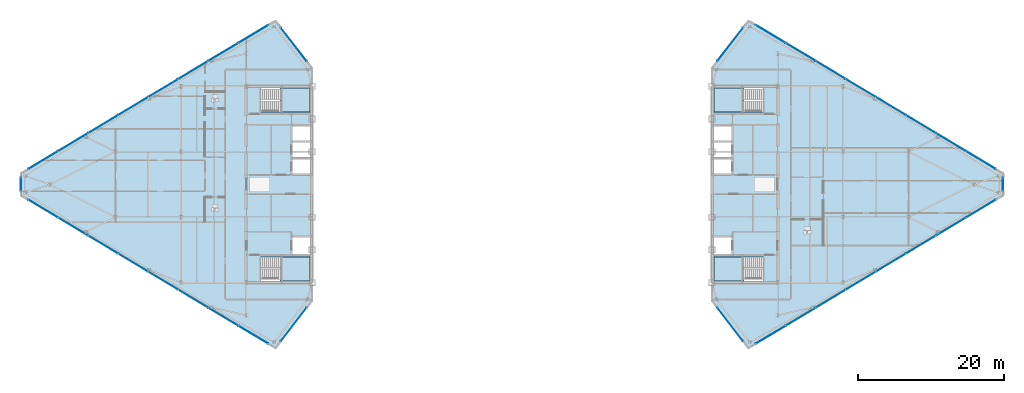
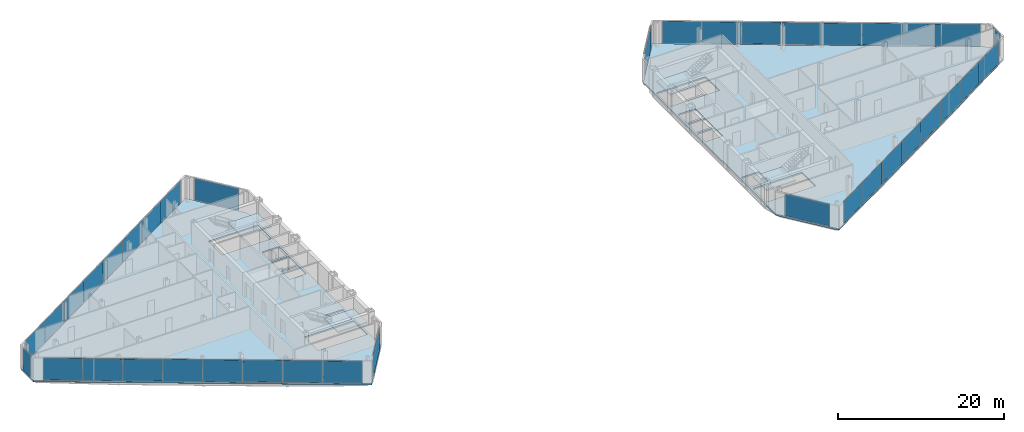
# One storey, part 18 of 25: 38 plates, 6 slabs, 14 elements without a shape of their own.
"""IFC4 building model written with IfcOpenShell, lengths in metres."""

from ifc_helpers import new_model, si_unit, direction, frame, origin, origin_2d, place, context, subcontext, project, spatial, polyline, rectangle, outline, extrude, source, transform, mapped, material, layer, layer_set, type_object, type_shapes, element, aggregate, save


model = new_model("IFC4")

# Units and contexts
model_context = context("Model", 3, precision=1e-05, world=origin(), true_north=direction((0.0, 1.0)))
body_context = subcontext(model_context, "Body", "Model", "MODEL_VIEW")
ifc_project = project(units=[si_unit("LENGTHUNIT", "METRE"), si_unit("AREAUNIT", "SQUARE_METRE"), si_unit("VOLUMEUNIT", "CUBIC_METRE"), si_unit("PLANEANGLEUNIT", "RADIAN"), si_unit("MASSUNIT", "GRAM", prefix="KILO")], contexts=[model_context])

# Site, building, storey
site_placement = place(None, origin())
site = spatial("IfcSite", under=ifc_project, at=site_placement, CompositionType="ELEMENT")
building_placement = place(site_placement, origin())
building = spatial("IfcBuilding", under=site, at=building_placement, Name="Seokmaru Belvedere", CompositionType="ELEMENT")
storey_placement = place(building_placement, frame((0.0, 0.0, 213.89990234375)))
storey = spatial("IfcBuildingStorey", under=building, at=storey_placement, Name="L57", CompositionType="ELEMENT", Elevation=213.89990234375)

# Stair, slab
ifc_material_1 = material(Name="Concrete C40 (40 MPa)", Category="concrete")
stair_type = type_object("IfcStairType", Name="Typical Tower Core Dog-Leg Stair 3600", PredefinedType="TWO_STRAIGHT_RUN_STAIR", material=ifc_material_1)
stair_1_placement = place(storey_placement, origin())
stair_1 = element("IfcStair", 1, at=stair_1_placement, inside=storey, type_object=stair_type, Name="L57 Special Escape Stair ST-W1", PredefinedType="TWO_STRAIGHT_RUN_STAIR")
ifc_layer_1 = layer(ifc_material_1, 0.199951171875)
ifc_layer_set_1 = layer_set([ifc_layer_1], Name="Concrete C40 (40 MPa)")
slab_type_1 = type_object("IfcSlabType", Name="Reinforced Concrete Stair Landing Slab 200", PredefinedType="LANDING", material=ifc_layer_set_1)
slab_1_placement = place(storey_placement, frame((0.0, 0.0, 1.60009765625)))
slab_1 = element("IfcSlab", 2, at=slab_1_placement, type_object=slab_type_1, Name="ST-W1 landing 1", PredefinedType="LANDING", context=body_context, shape_type="SweptSolid", body=[
    extrude(outline(polyline([(-31.8798828125, -13.239990234375), (-27.760009765625, -13.239990234375), (-27.760009765625, -9.949951171875), (-31.8798828125, -9.949951171875), (-31.8798828125, -13.239990234375)])), origin(), (0.0, 0.0, 1.0), 0.199951171875),
])
aggregate(stair_1, [slab_1])

stair_2_placement = place(storey_placement, origin())
stair_2 = element("IfcStair", 3, at=stair_2_placement, inside=storey, type_object=stair_type, Name="L57 Special Escape Stair ST-W2", PredefinedType="TWO_STRAIGHT_RUN_STAIR")
slab_2_placement = place(storey_placement, frame((0.0, 0.0, 1.60009765625)))
slab_2 = element("IfcSlab", 4, at=slab_2_placement, type_object=slab_type_1, Name="ST-W2 landing 1", PredefinedType="LANDING", context=body_context, shape_type="SweptSolid", body=[
    extrude(outline(polyline([(-31.8798828125, 9.949951171875), (-27.760009765625, 9.949951171875), (-27.760009765625, 13.239990234375), (-31.8798828125, 13.239990234375), (-31.8798828125, 9.949951171875)])), origin(), (0.0, 0.0, 1.0), 0.199951171875),
])
aggregate(stair_2, [slab_2])

stair_3_placement = place(storey_placement, origin())
stair_3 = element("IfcStair", 5, at=stair_3_placement, inside=storey, type_object=stair_type, Name="L57 Special Escape Stair ST-E1", PredefinedType="TWO_STRAIGHT_RUN_STAIR")
slab_3_placement = place(storey_placement, frame((0.0, 0.0, 1.60009765625)))
slab_3 = element("IfcSlab", 6, at=slab_3_placement, type_object=slab_type_1, Name="ST-E1 landing 1", PredefinedType="LANDING", context=body_context, shape_type="SweptSolid", body=[
    extrude(outline(polyline([(27.760009765625, -13.239990234375), (31.8798828125, -13.239990234375), (31.8798828125, -9.949951171875), (27.760009765625, -9.949951171875), (27.760009765625, -13.239990234375)])), origin(), (0.0, 0.0, 1.0), 0.199951171875),
])
aggregate(stair_3, [slab_3])

stair_4_placement = place(storey_placement, origin())
stair_4 = element("IfcStair", 7, at=stair_4_placement, inside=storey, type_object=stair_type, Name="L57 Special Escape Stair ST-E2", PredefinedType="TWO_STRAIGHT_RUN_STAIR")
slab_4_placement = place(storey_placement, frame((0.0, 0.0, 1.60009765625)))
slab_4 = element("IfcSlab", 8, at=slab_4_placement, type_object=slab_type_1, Name="ST-E2 landing 1", PredefinedType="LANDING", context=body_context, shape_type="SweptSolid", body=[
    extrude(outline(polyline([(27.760009765625, 9.949951171875), (31.8798828125, 9.949951171875), (31.8798828125, 13.239990234375), (27.760009765625, 13.239990234375), (27.760009765625, 9.949951171875)])), origin(), (0.0, 0.0, 1.0), 0.199951171875),
])
aggregate(stair_4, [slab_4])

# Slabs
ifc_layer_2 = layer(ifc_material_1, 0.219970703125)
ifc_layer_set_2 = layer_set([ifc_layer_2], Name="Concrete C40 (40 MPa)")
slab_type_2 = type_object("IfcSlabType", Name="Typical Tower Composite Floor Slab 220", PredefinedType="FLOOR", material=ifc_layer_set_2)
slab_5_placement = place(storey_placement, frame((0.0, 0.0, -0.219970703125)))
element("IfcSlab", 9, at=slab_5_placement, inside=storey, type_object=slab_type_2, Name="L57 West Leg Floor Slab", PredefinedType="FLOOR", context=body_context, shape_type="SweptSolid", body=[
    extrude(outline(polyline([(-27.5, -16.0), (-27.5, 16.0), (-32.5, 22.5), (-67.5, 1.5), (-67.5, -1.5), (-32.5, -22.5), (-27.5, -16.0)]), holes=[polyline([(-34.60009765625, -13.25), (-27.75, -13.25), (-27.75, -9.949951171875), (-34.60009765625, -9.949951171875), (-34.60009765625, -13.25)]), polyline([(-34.60009765625, 9.949951171875), (-27.75, 9.949951171875), (-27.75, 13.25), (-34.60009765625, 13.25), (-34.60009765625, 9.949951171875)]), polyline([(-30.14990234375, -9.550048828125), (-27.75, -9.550048828125), (-27.75, -7.25), (-30.14990234375, -7.25), (-30.14990234375, -9.550048828125)]), polyline([(-30.14990234375, 1.449951171875), (-27.75, 1.449951171875), (-27.75, 3.449951171875), (-30.14990234375, 3.449951171875), (-30.14990234375, 1.449951171875)]), polyline([(-30.14990234375, 3.75), (-27.75, 3.75), (-27.75, 5.75), (-30.14990234375, 5.75), (-30.14990234375, 3.75)]), polyline([(-30.14990234375, 6.050048828125), (-27.75, 6.050048828125), (-27.75, 8.050048828125), (-30.14990234375, 8.050048828125), (-30.14990234375, 6.050048828125)])]), origin(), (0.0, 0.0, 1.0), 0.219970703125),
])
slab_6_placement = place(storey_placement, frame((0.0, 0.0, -0.219970703125)))
element("IfcSlab", 10, at=slab_6_placement, inside=storey, type_object=slab_type_2, Name="L57 East Leg Floor Slab", PredefinedType="FLOOR", context=body_context, shape_type="SweptSolid", body=[
    extrude(outline(polyline([(32.5, -22.5), (67.5, -1.5), (67.5, 1.5), (32.5, 22.5), (27.5, 16.0), (27.5, -16.0), (32.5, -22.5)]), holes=[polyline([(27.75, -13.25), (34.60009765625, -13.25), (34.60009765625, -9.949951171875), (27.75, -9.949951171875), (27.75, -13.25)]), polyline([(27.75, 9.949951171875), (34.60009765625, 9.949951171875), (34.60009765625, 13.25), (27.75, 13.25), (27.75, 9.949951171875)]), polyline([(27.75, -9.550048828125), (30.14990234375, -9.550048828125), (30.14990234375, -7.25), (27.75, -7.25), (27.75, -9.550048828125)]), polyline([(27.75, 1.449951171875), (30.14990234375, 1.449951171875), (30.14990234375, 3.449951171875), (27.75, 3.449951171875), (27.75, 1.449951171875)]), polyline([(27.75, 3.75), (30.14990234375, 3.75), (30.14990234375, 5.75), (27.75, 5.75), (27.75, 3.75)]), polyline([(27.75, 6.050048828125), (30.14990234375, 6.050048828125), (30.14990234375, 8.050048828125), (27.75, 8.050048828125), (27.75, 6.050048828125)])]), origin(), (0.0, 0.0, 1.0), 0.219970703125),
])

# Curtain wall, plate
ifc_material_2 = material(Name="Bronze Triple Insulating Glass", Category="glass")
ifc_layer_3 = layer(ifc_material_2, 0.179931640625)
ifc_layer_set_3 = layer_set([ifc_layer_3], Name="Bronze Triple Insulating Glass")
curtain_wall_type = type_object("IfcCurtainWallType", Name="High-Rise Wind-Corner Curtain Wall System CW-5", PredefinedType="NOTDEFINED", material=ifc_layer_set_3)
curtain_wall_1_placement = place(storey_placement, origin())
curtain_wall_1 = element("IfcCurtainWall", 11, at=curtain_wall_1_placement, inside=storey, type_object=curtain_wall_type, Name="L57 Curtain Wall WF2", PredefinedType="NOTDEFINED")
ifc_layer_4 = layer(ifc_material_2, 0.035888671875)
ifc_layer_set_4 = layer_set([ifc_layer_4], Name="Bronze Triple Insulating Glass")
plate_type = type_object("IfcPlateType", Name="Bronze Triple Vision Glazing Panel 36", PredefinedType="CURTAIN_PANEL", material=ifc_layer_set_4)
shared_shape_1 = source(origin(), body_context, "Body", "SweptSolid", [
    extrude(rectangle(XDim=5.7705078125, YDim=0.035888671875, at=origin_2d()), origin(), (0.0, 0.0, 1.0), 3.25),
])
plate_1_placement = place(storey_placement, frame((-30.0, 19.25, 0.065185546875), z_axis=(0.0, 0.0, 1.0), x_axis=(-0.609701187349, 0.792631353244, 0.0)))
plate_1 = element("IfcPlate", 12, at=plate_1_placement, type_object=plate_type, Name="CW:L57:WF2 Glazing Panel 1-1", PredefinedType="CURTAIN_PANEL", context=body_context, shape_type="MappedRepresentation", body=[
    mapped(shared_shape_1, transform((0.0, 0.0, 0.0), scale=1.0)),
])
aggregate(curtain_wall_1, [plate_1])

curtain_wall_2_placement = place(storey_placement, origin())
curtain_wall_2 = element("IfcCurtainWall", 13, at=curtain_wall_2_placement, inside=storey, type_object=curtain_wall_type, Name="L57 Curtain Wall WF6", PredefinedType="NOTDEFINED")
plate_2_placement = place(storey_placement, frame((-30.0, -19.25, 0.065185546875), z_axis=(0.0, 0.0, 1.0), x_axis=(0.609701187349, 0.792631353244, 0.0)))
plate_2 = element("IfcPlate", 14, at=plate_2_placement, type_object=plate_type, Name="CW:L57:WF6 Glazing Panel 1-1", PredefinedType="CURTAIN_PANEL", context=body_context, shape_type="MappedRepresentation", body=[
    mapped(shared_shape_1, transform((0.0, 0.0, 0.0), scale=1.0)),
])
aggregate(curtain_wall_2, [plate_2])

curtain_wall_3_placement = place(storey_placement, origin())
curtain_wall_3 = element("IfcCurtainWall", 15, at=curtain_wall_3_placement, inside=storey, type_object=curtain_wall_type, Name="L57 Curtain Wall EF4", PredefinedType="NOTDEFINED")
plate_3_placement = place(storey_placement, frame((30.0, 19.25, 0.065185546875), z_axis=(0.0, 0.0, 1.0), x_axis=(-0.609701187349, -0.792631353244, 0.0)))
plate_3 = element("IfcPlate", 16, at=plate_3_placement, type_object=plate_type, Name="CW:L57:EF4 Glazing Panel 1-1", PredefinedType="CURTAIN_PANEL", context=body_context, shape_type="MappedRepresentation", body=[
    mapped(shared_shape_1, transform((0.0, 0.0, 0.0), scale=1.0)),
])
aggregate(curtain_wall_3, [plate_3])

curtain_wall_4_placement = place(storey_placement, origin())
curtain_wall_4 = element("IfcCurtainWall", 17, at=curtain_wall_4_placement, inside=storey, type_object=curtain_wall_type, Name="L57 Curtain Wall EF6", PredefinedType="NOTDEFINED")
plate_4_placement = place(storey_placement, frame((30.0, -19.25, 0.065185546875), z_axis=(0.0, 0.0, 1.0), x_axis=(0.609701187349, -0.792631353244, 0.0)))
plate_4 = element("IfcPlate", 18, at=plate_4_placement, type_object=plate_type, Name="CW:L57:EF6 Glazing Panel 1-1", PredefinedType="CURTAIN_PANEL", context=body_context, shape_type="MappedRepresentation", body=[
    mapped(shared_shape_1, transform((0.0, 0.0, 0.0), scale=1.0)),
])
aggregate(curtain_wall_4, [plate_4])

# Curtain wall, plates
curtain_wall_5_placement = place(storey_placement, origin())
curtain_wall_5 = element("IfcCurtainWall", 19, at=curtain_wall_5_placement, inside=storey, type_object=curtain_wall_type, Name="L57 Curtain Wall WF3", PredefinedType="NOTDEFINED")
shared_shape_2 = source(origin(), body_context, "Body", "SweptSolid", [
    extrude(rectangle(XDim=4.717041015625, YDim=0.035888671875, at=origin_2d()), origin(), (0.0, 0.0, 1.0), 3.25),
])
plate_5_placement = place(storey_placement, frame((-35.564208984375, 20.661376953125, 0.065185546875), z_axis=(0.0, 0.0, 1.0), x_axis=(-0.85749343335, -0.514494909364, 0.0)))
plate_5 = element("IfcPlate", 20, at=plate_5_placement, type_object=plate_type, Name="CW:L57:WF3 Glazing Panel 1-1", PredefinedType="CURTAIN_PANEL", context=body_context, shape_type="MappedRepresentation", body=[
    mapped(shared_shape_2, transform((0.0, 0.0, 0.0), scale=1.0)),
])
plate_6_placement = place(storey_placement, frame((-64.435791015625, 3.338623046875, 0.065185546875), z_axis=(0.0, 0.0, 1.0), x_axis=(-0.85749343335, -0.514494909364, 0.0)))
plate_6 = element("IfcPlate", 21, at=plate_6_placement, type_object=plate_type, Name="CW:L57:WF3 Glazing Panel 8-1", PredefinedType="CURTAIN_PANEL", context=body_context, shape_type="MappedRepresentation", body=[
    mapped(shared_shape_2, transform((0.0, 0.0, 0.0), scale=1.0)),
])

curtain_wall_6_placement = place(storey_placement, origin())
curtain_wall_6 = element("IfcCurtainWall", 22, at=curtain_wall_6_placement, inside=storey, type_object=curtain_wall_type, Name="L57 Curtain Wall WF5", PredefinedType="NOTDEFINED")
plate_7_placement = place(storey_placement, frame((-64.435791015625, -3.338623046875, 0.065185546875), z_axis=(0.0, 0.0, 1.0), x_axis=(0.85749343335, -0.514494909364, 0.0)))
plate_7 = element("IfcPlate", 23, at=plate_7_placement, type_object=plate_type, Name="CW:L57:WF5 Glazing Panel 1-1", PredefinedType="CURTAIN_PANEL", context=body_context, shape_type="MappedRepresentation", body=[
    mapped(shared_shape_2, transform((0.0, 0.0, 0.0), scale=1.0)),
])
plate_8_placement = place(storey_placement, frame((-35.564208984375, -20.661376953125, 0.065185546875), z_axis=(0.0, 0.0, 1.0), x_axis=(0.85749343335, -0.514494909364, 0.0)))
plate_8 = element("IfcPlate", 24, at=plate_8_placement, type_object=plate_type, Name="CW:L57:WF5 Glazing Panel 8-1", PredefinedType="CURTAIN_PANEL", context=body_context, shape_type="MappedRepresentation", body=[
    mapped(shared_shape_2, transform((0.0, 0.0, 0.0), scale=1.0)),
])

curtain_wall_7_placement = place(storey_placement, origin())
curtain_wall_7 = element("IfcCurtainWall", 25, at=curtain_wall_7_placement, inside=storey, type_object=curtain_wall_type, Name="L57 Curtain Wall EF1", PredefinedType="NOTDEFINED")
plate_9_placement = place(storey_placement, frame((35.564208984375, -20.661376953125, 0.065185546875), z_axis=(0.0, 0.0, 1.0), x_axis=(0.85749343335, 0.514494909364, 0.0)))
plate_9 = element("IfcPlate", 26, at=plate_9_placement, type_object=plate_type, Name="CW:L57:EF1 Glazing Panel 1-1", PredefinedType="CURTAIN_PANEL", context=body_context, shape_type="MappedRepresentation", body=[
    mapped(shared_shape_2, transform((0.0, 0.0, 0.0), scale=1.0)),
])
plate_10_placement = place(storey_placement, frame((64.435791015625, -3.338623046875, 0.065185546875), z_axis=(0.0, 0.0, 1.0), x_axis=(0.85749343335, 0.514494909364, 0.0)))
plate_10 = element("IfcPlate", 27, at=plate_10_placement, type_object=plate_type, Name="CW:L57:EF1 Glazing Panel 8-1", PredefinedType="CURTAIN_PANEL", context=body_context, shape_type="MappedRepresentation", body=[
    mapped(shared_shape_2, transform((0.0, 0.0, 0.0), scale=1.0)),
])

curtain_wall_8_placement = place(storey_placement, origin())
curtain_wall_8 = element("IfcCurtainWall", 28, at=curtain_wall_8_placement, inside=storey, type_object=curtain_wall_type, Name="L57 Curtain Wall EF3", PredefinedType="NOTDEFINED")
plate_11_placement = place(storey_placement, frame((64.435791015625, 3.338623046875, 0.065185546875), z_axis=(0.0, 0.0, 1.0), x_axis=(-0.85749343335, 0.514494909364, 0.0)))
plate_11 = element("IfcPlate", 29, at=plate_11_placement, type_object=plate_type, Name="CW:L57:EF3 Glazing Panel 1-1", PredefinedType="CURTAIN_PANEL", context=body_context, shape_type="MappedRepresentation", body=[
    mapped(shared_shape_2, transform((0.0, 0.0, 0.0), scale=1.0)),
])
plate_12_placement = place(storey_placement, frame((35.564208984375, 20.661376953125, 0.065185546875), z_axis=(0.0, 0.0, 1.0), x_axis=(-0.85749343335, 0.514494909364, 0.0)))
plate_12 = element("IfcPlate", 30, at=plate_12_placement, type_object=plate_type, Name="CW:L57:EF3 Glazing Panel 8-1", PredefinedType="CURTAIN_PANEL", context=body_context, shape_type="MappedRepresentation", body=[
    mapped(shared_shape_2, transform((0.0, 0.0, 0.0), scale=1.0)),
])

# Plate
shared_shape_3 = source(origin(), body_context, "Body", "SweptSolid", [
    extrude(rectangle(XDim=4.74951171875, YDim=0.035888671875, at=origin_2d()), origin(), (0.0, 0.0, 1.0), 3.25),
])
plate_13_placement = place(storey_placement, frame((-39.6787109375, 18.192626953125, 0.065185546875), z_axis=(0.0, 0.0, 1.0), x_axis=(-0.85749343335, -0.514494909364, 0.0)))
plate_13 = element("IfcPlate", 31, at=plate_13_placement, type_object=plate_type, Name="CW:L57:WF3 Glazing Panel 2-1", PredefinedType="CURTAIN_PANEL", context=body_context, shape_type="MappedRepresentation", body=[
    mapped(shared_shape_3, transform((0.0, 0.0, 0.0), scale=1.0)),
])

plate_14_placement = place(storey_placement, frame((-43.807373046875, 15.715576171875, 0.065185546875), z_axis=(0.0, 0.0, 1.0), x_axis=(-0.85749343335, -0.514494909364, 0.0)))
plate_14 = element("IfcPlate", 32, at=plate_14_placement, type_object=plate_type, Name="CW:L57:WF3 Glazing Panel 3-1", PredefinedType="CURTAIN_PANEL", context=body_context, shape_type="MappedRepresentation", body=[
    mapped(shared_shape_3, transform((0.0, 0.0, 0.0), scale=1.0)),
])

plate_15_placement = place(storey_placement, frame((-47.935791015625, 13.238525390625, 0.065185546875), z_axis=(0.0, 0.0, 1.0), x_axis=(-0.85749343335, -0.514494909364, 0.0)))
plate_15 = element("IfcPlate", 33, at=plate_15_placement, type_object=plate_type, Name="CW:L57:WF3 Glazing Panel 4-1", PredefinedType="CURTAIN_PANEL", context=body_context, shape_type="MappedRepresentation", body=[
    mapped(shared_shape_3, transform((0.0, 0.0, 0.0), scale=1.0)),
])

plate_16_placement = place(storey_placement, frame((-52.064208984375, 10.761474609375, 0.065185546875), z_axis=(0.0, 0.0, 1.0), x_axis=(-0.85749343335, -0.514494909364, 0.0)))
plate_16 = element("IfcPlate", 34, at=plate_16_placement, type_object=plate_type, Name="CW:L57:WF3 Glazing Panel 5-1", PredefinedType="CURTAIN_PANEL", context=body_context, shape_type="MappedRepresentation", body=[
    mapped(shared_shape_3, transform((0.0, 0.0, 0.0), scale=1.0)),
])

plate_17_placement = place(storey_placement, frame((-56.192626953125, 8.284423828125, 0.065185546875), z_axis=(0.0, 0.0, 1.0), x_axis=(-0.85749343335, -0.514494909364, 0.0)))
plate_17 = element("IfcPlate", 35, at=plate_17_placement, type_object=plate_type, Name="CW:L57:WF3 Glazing Panel 6-1", PredefinedType="CURTAIN_PANEL", context=body_context, shape_type="MappedRepresentation", body=[
    mapped(shared_shape_3, transform((0.0, 0.0, 0.0), scale=1.0)),
])

plate_18_placement = place(storey_placement, frame((-60.3212890625, 5.807373046875, 0.065185546875), z_axis=(0.0, 0.0, 1.0), x_axis=(-0.85749343335, -0.514494909364, 0.0)))
plate_18 = element("IfcPlate", 36, at=plate_18_placement, type_object=plate_type, Name="CW:L57:WF3 Glazing Panel 7-1", PredefinedType="CURTAIN_PANEL", context=body_context, shape_type="MappedRepresentation", body=[
    mapped(shared_shape_3, transform((0.0, 0.0, 0.0), scale=1.0)),
])

aggregate(curtain_wall_5, [plate_5, plate_13, plate_14, plate_15, plate_16, plate_17, plate_18, plate_6])

plate_19_placement = place(storey_placement, frame((-60.3212890625, -5.807373046875, 0.065185546875), z_axis=(0.0, 0.0, 1.0), x_axis=(0.85749343335, -0.514494909364, 0.0)))
plate_19 = element("IfcPlate", 37, at=plate_19_placement, type_object=plate_type, Name="CW:L57:WF5 Glazing Panel 2-1", PredefinedType="CURTAIN_PANEL", context=body_context, shape_type="MappedRepresentation", body=[
    mapped(shared_shape_3, transform((0.0, 0.0, 0.0), scale=1.0)),
])

plate_20_placement = place(storey_placement, frame((-56.192626953125, -8.284423828125, 0.065185546875), z_axis=(0.0, 0.0, 1.0), x_axis=(0.85749343335, -0.514494909364, 0.0)))
plate_20 = element("IfcPlate", 38, at=plate_20_placement, type_object=plate_type, Name="CW:L57:WF5 Glazing Panel 3-1", PredefinedType="CURTAIN_PANEL", context=body_context, shape_type="MappedRepresentation", body=[
    mapped(shared_shape_3, transform((0.0, 0.0, 0.0), scale=1.0)),
])

plate_21_placement = place(storey_placement, frame((-52.064208984375, -10.761474609375, 0.065185546875), z_axis=(0.0, 0.0, 1.0), x_axis=(0.85749343335, -0.514494909364, 0.0)))
plate_21 = element("IfcPlate", 39, at=plate_21_placement, type_object=plate_type, Name="CW:L57:WF5 Glazing Panel 4-1", PredefinedType="CURTAIN_PANEL", context=body_context, shape_type="MappedRepresentation", body=[
    mapped(shared_shape_3, transform((0.0, 0.0, 0.0), scale=1.0)),
])

plate_22_placement = place(storey_placement, frame((-47.935791015625, -13.238525390625, 0.065185546875), z_axis=(0.0, 0.0, 1.0), x_axis=(0.85749343335, -0.514494909364, 0.0)))
plate_22 = element("IfcPlate", 40, at=plate_22_placement, type_object=plate_type, Name="CW:L57:WF5 Glazing Panel 5-1", PredefinedType="CURTAIN_PANEL", context=body_context, shape_type="MappedRepresentation", body=[
    mapped(shared_shape_3, transform((0.0, 0.0, 0.0), scale=1.0)),
])

plate_23_placement = place(storey_placement, frame((-43.807373046875, -15.715576171875, 0.065185546875), z_axis=(0.0, 0.0, 1.0), x_axis=(0.85749343335, -0.514494909364, 0.0)))
plate_23 = element("IfcPlate", 41, at=plate_23_placement, type_object=plate_type, Name="CW:L57:WF5 Glazing Panel 6-1", PredefinedType="CURTAIN_PANEL", context=body_context, shape_type="MappedRepresentation", body=[
    mapped(shared_shape_3, transform((0.0, 0.0, 0.0), scale=1.0)),
])

plate_24_placement = place(storey_placement, frame((-39.6787109375, -18.192626953125, 0.065185546875), z_axis=(0.0, 0.0, 1.0), x_axis=(0.85749343335, -0.514494909364, 0.0)))
plate_24 = element("IfcPlate", 42, at=plate_24_placement, type_object=plate_type, Name="CW:L57:WF5 Glazing Panel 7-1", PredefinedType="CURTAIN_PANEL", context=body_context, shape_type="MappedRepresentation", body=[
    mapped(shared_shape_3, transform((0.0, 0.0, 0.0), scale=1.0)),
])

aggregate(curtain_wall_6, [plate_7, plate_19, plate_20, plate_21, plate_22, plate_23, plate_24, plate_8])

plate_25_placement = place(storey_placement, frame((39.6787109375, -18.192626953125, 0.065185546875), z_axis=(0.0, 0.0, 1.0), x_axis=(0.85749343335, 0.514494909364, 0.0)))
plate_25 = element("IfcPlate", 43, at=plate_25_placement, type_object=plate_type, Name="CW:L57:EF1 Glazing Panel 2-1", PredefinedType="CURTAIN_PANEL", context=body_context, shape_type="MappedRepresentation", body=[
    mapped(shared_shape_3, transform((0.0, 0.0, 0.0), scale=1.0)),
])

plate_26_placement = place(storey_placement, frame((43.807373046875, -15.715576171875, 0.065185546875), z_axis=(0.0, 0.0, 1.0), x_axis=(0.85749343335, 0.514494909364, 0.0)))
plate_26 = element("IfcPlate", 44, at=plate_26_placement, type_object=plate_type, Name="CW:L57:EF1 Glazing Panel 3-1", PredefinedType="CURTAIN_PANEL", context=body_context, shape_type="MappedRepresentation", body=[
    mapped(shared_shape_3, transform((0.0, 0.0, 0.0), scale=1.0)),
])

plate_27_placement = place(storey_placement, frame((47.935791015625, -13.238525390625, 0.065185546875), z_axis=(0.0, 0.0, 1.0), x_axis=(0.85749343335, 0.514494909364, 0.0)))
plate_27 = element("IfcPlate", 45, at=plate_27_placement, type_object=plate_type, Name="CW:L57:EF1 Glazing Panel 4-1", PredefinedType="CURTAIN_PANEL", context=body_context, shape_type="MappedRepresentation", body=[
    mapped(shared_shape_3, transform((0.0, 0.0, 0.0), scale=1.0)),
])

plate_28_placement = place(storey_placement, frame((52.064208984375, -10.761474609375, 0.065185546875), z_axis=(0.0, 0.0, 1.0), x_axis=(0.85749343335, 0.514494909364, 0.0)))
plate_28 = element("IfcPlate", 46, at=plate_28_placement, type_object=plate_type, Name="CW:L57:EF1 Glazing Panel 5-1", PredefinedType="CURTAIN_PANEL", context=body_context, shape_type="MappedRepresentation", body=[
    mapped(shared_shape_3, transform((0.0, 0.0, 0.0), scale=1.0)),
])

plate_29_placement = place(storey_placement, frame((56.192626953125, -8.284423828125, 0.065185546875), z_axis=(0.0, 0.0, 1.0), x_axis=(0.85749343335, 0.514494909364, 0.0)))
plate_29 = element("IfcPlate", 47, at=plate_29_placement, type_object=plate_type, Name="CW:L57:EF1 Glazing Panel 6-1", PredefinedType="CURTAIN_PANEL", context=body_context, shape_type="MappedRepresentation", body=[
    mapped(shared_shape_3, transform((0.0, 0.0, 0.0), scale=1.0)),
])

plate_30_placement = place(storey_placement, frame((60.3212890625, -5.807373046875, 0.065185546875), z_axis=(0.0, 0.0, 1.0), x_axis=(0.85749343335, 0.514494909364, 0.0)))
plate_30 = element("IfcPlate", 48, at=plate_30_placement, type_object=plate_type, Name="CW:L57:EF1 Glazing Panel 7-1", PredefinedType="CURTAIN_PANEL", context=body_context, shape_type="MappedRepresentation", body=[
    mapped(shared_shape_3, transform((0.0, 0.0, 0.0), scale=1.0)),
])

aggregate(curtain_wall_7, [plate_9, plate_25, plate_26, plate_27, plate_28, plate_29, plate_30, plate_10])

plate_31_placement = place(storey_placement, frame((60.3212890625, 5.807373046875, 0.065185546875), z_axis=(0.0, 0.0, 1.0), x_axis=(-0.85749343335, 0.514494909364, 0.0)))
plate_31 = element("IfcPlate", 49, at=plate_31_placement, type_object=plate_type, Name="CW:L57:EF3 Glazing Panel 2-1", PredefinedType="CURTAIN_PANEL", context=body_context, shape_type="MappedRepresentation", body=[
    mapped(shared_shape_3, transform((0.0, 0.0, 0.0), scale=1.0)),
])

plate_32_placement = place(storey_placement, frame((56.192626953125, 8.284423828125, 0.065185546875), z_axis=(0.0, 0.0, 1.0), x_axis=(-0.85749343335, 0.514494909364, 0.0)))
plate_32 = element("IfcPlate", 50, at=plate_32_placement, type_object=plate_type, Name="CW:L57:EF3 Glazing Panel 3-1", PredefinedType="CURTAIN_PANEL", context=body_context, shape_type="MappedRepresentation", body=[
    mapped(shared_shape_3, transform((0.0, 0.0, 0.0), scale=1.0)),
])

plate_33_placement = place(storey_placement, frame((52.064208984375, 10.761474609375, 0.065185546875), z_axis=(0.0, 0.0, 1.0), x_axis=(-0.85749343335, 0.514494909364, 0.0)))
plate_33 = element("IfcPlate", 51, at=plate_33_placement, type_object=plate_type, Name="CW:L57:EF3 Glazing Panel 4-1", PredefinedType="CURTAIN_PANEL", context=body_context, shape_type="MappedRepresentation", body=[
    mapped(shared_shape_3, transform((0.0, 0.0, 0.0), scale=1.0)),
])

plate_34_placement = place(storey_placement, frame((47.935791015625, 13.238525390625, 0.065185546875), z_axis=(0.0, 0.0, 1.0), x_axis=(-0.85749343335, 0.514494909364, 0.0)))
plate_34 = element("IfcPlate", 52, at=plate_34_placement, type_object=plate_type, Name="CW:L57:EF3 Glazing Panel 5-1", PredefinedType="CURTAIN_PANEL", context=body_context, shape_type="MappedRepresentation", body=[
    mapped(shared_shape_3, transform((0.0, 0.0, 0.0), scale=1.0)),
])

plate_35_placement = place(storey_placement, frame((43.807373046875, 15.715576171875, 0.065185546875), z_axis=(0.0, 0.0, 1.0), x_axis=(-0.85749343335, 0.514494909364, 0.0)))
plate_35 = element("IfcPlate", 53, at=plate_35_placement, type_object=plate_type, Name="CW:L57:EF3 Glazing Panel 6-1", PredefinedType="CURTAIN_PANEL", context=body_context, shape_type="MappedRepresentation", body=[
    mapped(shared_shape_3, transform((0.0, 0.0, 0.0), scale=1.0)),
])

plate_36_placement = place(storey_placement, frame((39.6787109375, 18.192626953125, 0.065185546875), z_axis=(0.0, 0.0, 1.0), x_axis=(-0.85749343335, 0.514494909364, 0.0)))
plate_36 = element("IfcPlate", 54, at=plate_36_placement, type_object=plate_type, Name="CW:L57:EF3 Glazing Panel 7-1", PredefinedType="CURTAIN_PANEL", context=body_context, shape_type="MappedRepresentation", body=[
    mapped(shared_shape_3, transform((0.0, 0.0, 0.0), scale=1.0)),
])

aggregate(curtain_wall_8, [plate_11, plate_31, plate_32, plate_33, plate_34, plate_35, plate_36, plate_12])

# Curtain wall, plate
curtain_wall_9_placement = place(storey_placement, origin())
curtain_wall_9 = element("IfcCurtainWall", 55, at=curtain_wall_9_placement, inside=storey, type_object=curtain_wall_type, Name="L57 Curtain Wall WF4", PredefinedType="NOTDEFINED")
shared_shape_4 = source(origin(), body_context, "Body", "SweptSolid", [
    extrude(rectangle(XDim=1.77001953125, YDim=0.035888671875, at=origin_2d()), origin(), (0.0, 0.0, 1.0), 3.25),
])
type_shapes(plate_type, [shared_shape_1, shared_shape_2, shared_shape_3, shared_shape_4])
plate_37_placement = place(storey_placement, frame((-67.5, 0.0, 0.065185546875), z_axis=(0.0, 0.0, 1.0), x_axis=(0.0, -1.0, 0.0)))
plate_37 = element("IfcPlate", 56, at=plate_37_placement, type_object=plate_type, Name="CW:L57:WF4 Glazing Panel 1-1", PredefinedType="CURTAIN_PANEL", context=body_context, shape_type="MappedRepresentation", body=[
    mapped(shared_shape_4, transform((0.0, 0.0, 0.0), scale=1.0)),
])
aggregate(curtain_wall_9, [plate_37])

curtain_wall_10_placement = place(storey_placement, origin())
curtain_wall_10 = element("IfcCurtainWall", 57, at=curtain_wall_10_placement, inside=storey, type_object=curtain_wall_type, Name="L57 Curtain Wall EF2", PredefinedType="NOTDEFINED")
plate_38_placement = place(storey_placement, frame((67.5, 0.0, 0.065185546875), z_axis=(0.0, 0.0, 1.0), x_axis=(0.0, 1.0, 0.0)))
plate_38 = element("IfcPlate", 58, at=plate_38_placement, type_object=plate_type, Name="CW:L57:EF2 Glazing Panel 1-1", PredefinedType="CURTAIN_PANEL", context=body_context, shape_type="MappedRepresentation", body=[
    mapped(shared_shape_4, transform((0.0, 0.0, 0.0), scale=1.0)),
])
aggregate(curtain_wall_10, [plate_38])

save(model, "model.ifc")
